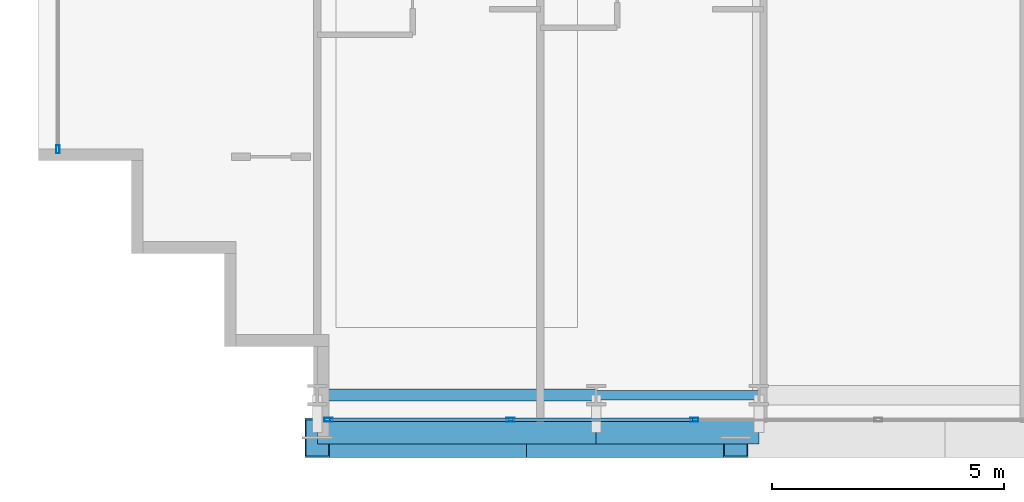
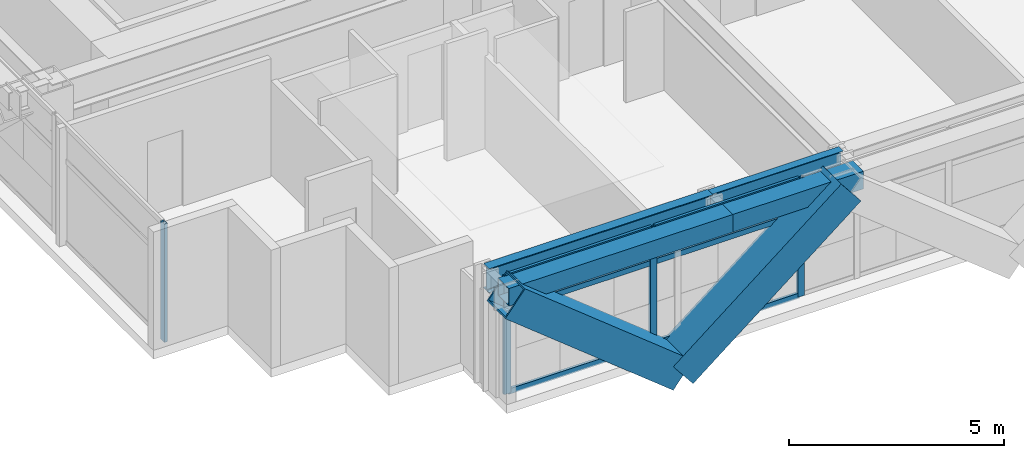
# One storey, part 2 of 41: 12 members, 4 beams, 2 elements without a shape of their own.
"""IFC4 building model written with IfcOpenShell, lengths in metres."""

from ifc_helpers import new_model, si_unit, direction, frame, origin, origin_2d, place, context, subcontext, project, spatial, hollow_rectangle, i_section, extrude, source, transform, mapped, material, layer, layer_set, material_profile, profile_set, type_object, element, aggregate, save


model = new_model("IFC4")

# Units and contexts
model_context = context("Model", 3, precision=1e-05, world=origin(), true_north=direction((0.0, 1.0)))
body_context = subcontext(model_context, "Body", "Model", "MODEL_VIEW")
ifc_project = project(units=[si_unit("LENGTHUNIT", "METRE"), si_unit("AREAUNIT", "SQUARE_METRE"), si_unit("VOLUMEUNIT", "CUBIC_METRE"), si_unit("PLANEANGLEUNIT", "RADIAN"), si_unit("MASSUNIT", "GRAM", prefix="KILO")], contexts=[model_context])

# Site, building, storey
site_placement = place(None, origin())
site = spatial("IfcSite", under=ifc_project, at=site_placement, CompositionType="ELEMENT")
building_placement = place(site_placement, origin())
building = spatial("IfcBuilding", under=site, at=building_placement, Name="Ocotamira Hotel", CompositionType="ELEMENT")
storey_placement = place(building_placement, frame((0.0, 0.0, 67.199951171875)))
storey = spatial("IfcBuildingStorey", under=building, at=storey_placement, Name="L16", CompositionType="ELEMENT", Elevation=67.199951171875)

# Beams
ifc_material_1 = material(Name="Steel ASTM A992 Grade 50", Category="steel")
ifc_material_profile_1 = material_profile(ifc_material_1, i_section(OverallWidth=0.256103515625, OverallDepth=0.693115234375, WebThickness=0.014404296875, FlangeThickness=0.023681640625, FilletRadius=0.01611328125, at=origin_2d()), Name="W27X114")
ifc_profile_set_1 = profile_set([ifc_material_profile_1], Name="Steel ASTM A992 Grade 50")
beam_type_1 = type_object("IfcBeamType", Name="BM-PRIM-W27X114", PredefinedType="BEAM", material=ifc_profile_set_1)
shared_shape_1 = source(origin(), body_context, "Body", "SweptSolid", [
    extrude(i_section(OverallWidth=0.256103515625, OverallDepth=0.693115234375, WebThickness=0.014404296875, FlangeThickness=0.023681640625, FilletRadius=0.01611328125, at=origin_2d()), origin(), (0.0, 0.0, 1.0), 6.0),
])
beam_1_placement = place(storey_placement, frame((14.0, 2.949951171875, 3.003662109375), z_axis=(1.0, 0.0, 0.0), x_axis=(0.0, 1.0, 0.0)))
element("IfcBeam", 1, at=beam_1_placement, inside=storey, type_object=beam_type_1, Name="L16 Girder Y2.95 X14-20", PredefinedType="BEAM", context=body_context, shape_type="MappedRepresentation", body=[
    mapped(shared_shape_1, transform((0.0, 0.0, 0.0), scale=1.0)),
])
ifc_material_profile_2 = material_profile(ifc_material_1, i_section(OverallWidth=0.2099609375, OverallDepth=0.537109375, WebThickness=0.010986328125, FlangeThickness=0.017333984375, FilletRadius=0.012939453125, at=origin_2d()), Name="W21X68")
ifc_profile_set_2 = profile_set([ifc_material_profile_2], Name="Steel ASTM A992 Grade 50")
beam_type_2 = type_object("IfcBeamType", Name="BM-SEC-W21X68", PredefinedType="JOIST", material=ifc_profile_set_2)
shared_shape_2 = source(origin(), body_context, "Body", "SweptSolid", [
    extrude(i_section(OverallWidth=0.2099609375, OverallDepth=0.537109375, WebThickness=0.010986328125, FlangeThickness=0.017333984375, FilletRadius=0.012939453125, at=origin_2d()), origin(), (0.0, 0.0, 1.0), 3.5),
])
beam_2_placement = place(storey_placement, frame((20.0, 2.949951171875, 3.08154296875), z_axis=(1.0, 0.0, 0.0), x_axis=(0.0, 1.0, 0.0)))
element("IfcBeam", 2, at=beam_2_placement, inside=storey, type_object=beam_type_2, Name="L16 Girder Y2.95 X20-23.5", PredefinedType="JOIST", context=body_context, shape_type="MappedRepresentation", body=[
    mapped(shared_shape_2, transform((0.0, 0.0, 0.0), scale=1.0)),
])
ifc_material_2 = material(Name="Steel ASTM A500 Grade C", Category="steel")
ifc_material_profile_3 = material_profile(ifc_material_2, hollow_rectangle(XDim=0.5, YDim=0.5, WallThickness=0.02001953125, at=origin_2d()), Name="HSS500X500X20")
ifc_profile_set_3 = profile_set([ifc_material_profile_3], Name="Steel ASTM A500 Grade C")
beam_type_3 = type_object("IfcBeamType", Name="BM-SPAN-HSS500", PredefinedType="USERDEFINED", material=ifc_profile_set_3)
shared_shape_3 = source(origin(), body_context, "Body", "SweptSolid", [
    extrude(hollow_rectangle(XDim=0.5, YDim=0.5, WallThickness=0.02001953125, at=origin_2d()), origin(), (0.0, 0.0, 1.0), 6.0),
])
beam_3_placement = place(storey_placement, frame((14.0, 2.14990234375, 3.10009765625), z_axis=(1.0, 0.0, 0.0), x_axis=(0.0, 1.0, 0.0)))
element("IfcBeam", 3, at=beam_3_placement, inside=storey, type_object=beam_type_3, Name="L16 Edge Spandrel S X14-20", ObjectType="SPANDREL", PredefinedType="USERDEFINED", context=body_context, shape_type="MappedRepresentation", body=[
    mapped(shared_shape_3, transform((0.0, 0.0, 0.0), scale=1.0)),
])
shared_shape_4 = source(origin(), body_context, "Body", "SweptSolid", [
    extrude(hollow_rectangle(XDim=0.5, YDim=0.5, WallThickness=0.02001953125, at=origin_2d()), origin(), (0.0, 0.0, 1.0), 3.5),
])
beam_4_placement = place(storey_placement, frame((20.0, 2.14990234375, 3.10009765625), z_axis=(1.0, 0.0, 0.0), x_axis=(0.0, 1.0, 0.0)))
element("IfcBeam", 4, at=beam_4_placement, inside=storey, type_object=beam_type_3, Name="L16 Edge Spandrel S X20-23.5", ObjectType="SPANDREL", PredefinedType="USERDEFINED", context=body_context, shape_type="MappedRepresentation", body=[
    mapped(shared_shape_4, transform((0.0, 0.0, 0.0), scale=1.0)),
])

# Members
ifc_material_3 = material(Name="Pale-metal coated steel ASTM A913 Grade 65", Category="steel")
ifc_material_profile_4 = material_profile(ifc_material_3, hollow_rectangle(XDim=0.85009765625, YDim=0.85009765625, WallThickness=0.035888671875, at=origin_2d()), Name="BOX850X850X36")
ifc_profile_set_4 = profile_set([ifc_material_profile_4], Name="Pale-metal coated steel ASTM A913 Grade 65")
member_type_1 = type_object("IfcMemberType", Name="MEM-EXO-BOX850", PredefinedType="BRACE", material=ifc_profile_set_4)
shared_shape_5 = source(origin(), body_context, "Body", "SweptSolid", [
    extrude(hollow_rectangle(XDim=0.85009765625, YDim=0.85009765625, WallThickness=0.035888671875, at=origin_2d()), origin(), (0.0, 0.0, 1.0), 5.762939453125),
])
for number, where, z_axis, x_axis, name in (
    (5, (18.5, 2.030029296875, -0.5), (-0.780860543151, 0.0, 0.624705380279), (0.0, -1.0, 0.0), "L16 Exoskeleton Diagrid S0.1"),
    (6, (18.5, 2.030029296875, -0.5), (0.780860543151, 0.0, 0.624705380279), (0.0, 1.0, 0.0), "L16 Exoskeleton Diagrid S0.2"),
):
    element("IfcMember", number, at=place(storey_placement, frame(where, z_axis=z_axis, x_axis=x_axis)), inside=storey, type_object=member_type_1, Name=name, PredefinedType="BRACE", context=body_context, shape_type="MappedRepresentation", body=[
        mapped(shared_shape_5, transform((0.0, 0.0, 0.0), scale=1.0)),
    ])

# Curtain wall, members
ifc_material_4 = material(Name="Anodised pale-metal aluminium and solar glass", Category="aluminium")
ifc_layer = layer(ifc_material_4, 0.179931640625)
ifc_layer_set = layer_set([ifc_layer], Name="Anodised pale-metal aluminium and solar glass")
curtain_wall_type = type_object("IfcCurtainWallType", Name="CW-SYS2-Z1", PredefinedType="NOTDEFINED", material=ifc_layer_set)
curtain_wall_1_placement = place(storey_placement, origin())
curtain_wall_1 = element("IfcCurtainWall", 7, at=curtain_wall_1_placement, inside=storey, type_object=curtain_wall_type, Name="L16 Curtain Wall CW-2 CW-L16-S1", PredefinedType="NOTDEFINED")
ifc_material_5 = material(Name="Anodised pale-metal aluminium 6063-T6", Category="aluminium")
ifc_material_profile_5 = material_profile(ifc_material_5, hollow_rectangle(XDim=0.074951171875, YDim=0.14990234375, WallThickness=0.006103515625, at=origin_2d()), Name="HSS150X75X6")
ifc_profile_set_5 = profile_set([ifc_material_profile_5], Name="Anodised pale-metal aluminium 6063-T6")
member_type_2 = type_object("IfcMemberType", Name="CWT-150X75", PredefinedType="USERDEFINED", material=ifc_profile_set_5)
shared_shape_6 = source(origin(), body_context, "Body", "SweptSolid", [
    extrude(hollow_rectangle(XDim=0.074951171875, YDim=0.14990234375, WallThickness=0.006103515625, at=origin_2d()), origin(), (0.0, 0.0, 1.0), 3.83544921875),
])
member_1_placement = place(storey_placement, frame((14.280029296875, 2.419921875, 0.03759765625), z_axis=(1.0, 0.0, 0.0), x_axis=(0.0, 1.0, 0.0)))
member_1 = element("IfcMember", 8, at=member_1_placement, type_object=member_type_2, Name="CW-2 transom 1.1", ObjectType="TRANSOM", PredefinedType="USERDEFINED", context=body_context, shape_type="MappedRepresentation", body=[
    mapped(shared_shape_6, transform((0.0, 0.0, 0.0), scale=1.0)),
])
member_2_placement = place(storey_placement, frame((14.280029296875, 2.419921875, 2.35009765625), z_axis=(1.0, 0.0, 0.0), x_axis=(0.0, 1.0, 0.0)))
member_2 = element("IfcMember", 9, at=member_2_placement, type_object=member_type_2, Name="CW-2 transom 1.2", ObjectType="TRANSOM", PredefinedType="USERDEFINED", context=body_context, shape_type="MappedRepresentation", body=[
    mapped(shared_shape_6, transform((0.0, 0.0, 0.0), scale=1.0)),
])
member_3_placement = place(storey_placement, frame((14.280029296875, 2.419921875, 3.3125), z_axis=(1.0, 0.0, 0.0), x_axis=(0.0, 1.0, 0.0)))
member_3 = element("IfcMember", 10, at=member_3_placement, type_object=member_type_2, Name="CW-2 transom 1.3", ObjectType="TRANSOM", PredefinedType="USERDEFINED", context=body_context, shape_type="MappedRepresentation", body=[
    mapped(shared_shape_6, transform((0.0, 0.0, 0.0), scale=1.0)),
])
shared_shape_7 = source(origin(), body_context, "Body", "SweptSolid", [
    extrude(hollow_rectangle(XDim=0.074951171875, YDim=0.14990234375, WallThickness=0.006103515625, at=origin_2d()), origin(), (0.0, 0.0, 1.0), 3.87548828125),
])
member_4_placement = place(storey_placement, frame((18.195556640625, 2.419921875, 0.03759765625), z_axis=(1.0, 0.0, 0.0), x_axis=(0.0, 1.0, 0.0)))
member_4 = element("IfcMember", 11, at=member_4_placement, type_object=member_type_2, Name="CW-2 transom 2.1", ObjectType="TRANSOM", PredefinedType="USERDEFINED", context=body_context, shape_type="MappedRepresentation", body=[
    mapped(shared_shape_7, transform((0.0, 0.0, 0.0), scale=1.0)),
])
member_5_placement = place(storey_placement, frame((18.195556640625, 2.419921875, 2.35009765625), z_axis=(1.0, 0.0, 0.0), x_axis=(0.0, 1.0, 0.0)))
member_5 = element("IfcMember", 12, at=member_5_placement, type_object=member_type_2, Name="CW-2 transom 2.2", ObjectType="TRANSOM", PredefinedType="USERDEFINED", context=body_context, shape_type="MappedRepresentation", body=[
    mapped(shared_shape_7, transform((0.0, 0.0, 0.0), scale=1.0)),
])
member_6_placement = place(storey_placement, frame((18.195556640625, 2.419921875, 3.3125), z_axis=(1.0, 0.0, 0.0), x_axis=(0.0, 1.0, 0.0)))
member_6 = element("IfcMember", 13, at=member_6_placement, type_object=member_type_2, Name="CW-2 transom 2.3", ObjectType="TRANSOM", PredefinedType="USERDEFINED", context=body_context, shape_type="MappedRepresentation", body=[
    mapped(shared_shape_7, transform((0.0, 0.0, 0.0), scale=1.0)),
])
ifc_material_profile_6 = material_profile(ifc_material_5, hollow_rectangle(XDim=0.080078125, YDim=0.179931640625, WallThickness=0.006103515625, at=origin_2d()), Name="HSS180X80X6")
ifc_profile_set_6 = profile_set([ifc_material_profile_6], Name="Anodised pale-metal aluminium 6063-T6")
member_type_3 = type_object("IfcMemberType", Name="CWM-180X75", PredefinedType="MULLION", material=ifc_profile_set_6)
shared_shape_8 = source(origin(), body_context, "Body", "SweptSolid", [
    extrude(hollow_rectangle(XDim=0.080078125, YDim=0.179931640625, WallThickness=0.006103515625, at=origin_2d()), origin(), (0.0, 0.0, 1.0), 3.35009765625),
])
member_7_placement = place(storey_placement, frame((14.239990234375, 2.419921875, 0.0), z_axis=(0.0, 0.0, 1.0), x_axis=(0.0, 1.0, 0.0)))
member_7 = element("IfcMember", 14, at=member_7_placement, type_object=member_type_3, Name="CW-2 mullion 1", PredefinedType="MULLION", context=body_context, shape_type="MappedRepresentation", body=[
    mapped(shared_shape_8, transform((0.0, 0.0, 0.0), scale=1.0)),
])
member_8_placement = place(storey_placement, frame((18.155517578125, 2.419921875, 0.0), z_axis=(0.0, 0.0, 1.0), x_axis=(0.0, 1.0, 0.0)))
member_8 = element("IfcMember", 15, at=member_8_placement, type_object=member_type_3, Name="CW-2 mullion 2", PredefinedType="MULLION", context=body_context, shape_type="MappedRepresentation", body=[
    mapped(shared_shape_8, transform((0.0, 0.0, 0.0), scale=1.0)),
])
member_9_placement = place(storey_placement, frame((22.111083984375, 2.419921875, 0.0), z_axis=(0.0, 0.0, 1.0), x_axis=(0.0, 1.0, 0.0)))
member_9 = element("IfcMember", 16, at=member_9_placement, type_object=member_type_3, Name="CW-2 mullion 3", PredefinedType="MULLION", context=body_context, shape_type="MappedRepresentation", body=[
    mapped(shared_shape_8, transform((0.0, 0.0, 0.0), scale=1.0)),
])
aggregate(curtain_wall_1, [member_7, member_8, member_9, member_1, member_2, member_3, member_4, member_5, member_6])

# Curtain wall, member
curtain_wall_2_placement = place(storey_placement, origin())
curtain_wall_2 = element("IfcCurtainWall", 17, at=curtain_wall_2_placement, inside=storey, type_object=curtain_wall_type, Name="L16 Curtain Wall CW-2 CW-L16-W", PredefinedType="NOTDEFINED")
member_10_placement = place(storey_placement, frame((8.419921875, 8.239990234375, 0.0), z_axis=(0.0, 0.0, 1.0), x_axis=(-1.0, 0.0, 0.0)))
member_10 = element("IfcMember", 18, at=member_10_placement, type_object=member_type_3, Name="CW-2 mullion 1", PredefinedType="MULLION", context=body_context, shape_type="MappedRepresentation", body=[
    mapped(shared_shape_8, transform((0.0, 0.0, 0.0), scale=1.0)),
])
aggregate(curtain_wall_2, [member_10])

save(model, "model.ifc")
